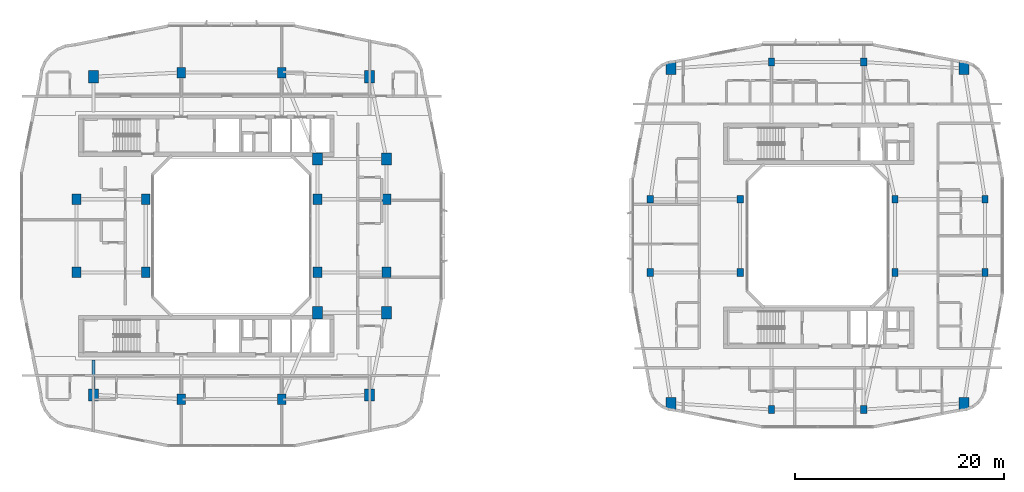
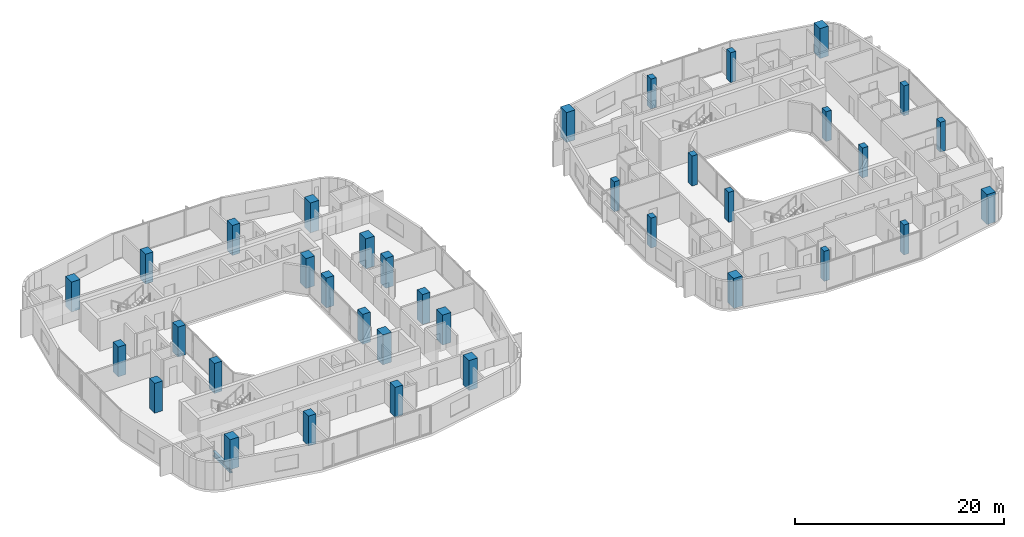
# One storey, part 1 of 26: 36 columns, 1 beam.
"""IFC4 building model written with IfcOpenShell, lengths in metres."""

from ifc_helpers import new_model, si_unit, derived_unit, direction, frame, origin, origin_2d, place, context, subcontext, project, spatial, rectangle, i_section, extrude, material, material_profile, profile_set, type_object, element, save


model = new_model("IFC4")

# Units and contexts
model_context = context("Model", 3, precision=1e-05, world=origin(), true_north=direction((0.0, 1.0)))
body_context = subcontext(model_context, "Body", "Model", "MODEL_VIEW")
ifc_project = project(units=[si_unit("LENGTHUNIT", "METRE"), si_unit("AREAUNIT", "SQUARE_METRE"), si_unit("VOLUMEUNIT", "CUBIC_METRE"), si_unit("PLANEANGLEUNIT", "RADIAN"), si_unit("MASSUNIT", "GRAM", prefix="KILO"), derived_unit("THERMALTRANSMITTANCEUNIT", [(si_unit("POWERUNIT", "WATT"), 1), (si_unit("LENGTHUNIT", "METRE"), -2), (si_unit("THERMODYNAMICTEMPERATUREUNIT", "KELVIN"), -1)])], contexts=[model_context])

# Site, building, storey
site_placement = place(None, origin())
site = spatial("IfcSite", under=ifc_project, at=site_placement, CompositionType="ELEMENT")
building_placement = place(site_placement, origin())
building = spatial("IfcBuilding", under=site, at=building_placement, Name="Kivonza Crest Hotel", CompositionType="ELEMENT")
storey_placement = place(building_placement, frame((0.0, 0.0, 98.5)))
storey = spatial("IfcBuildingStorey", under=building, at=storey_placement, Name="L26", CompositionType="ELEMENT", Elevation=98.5)

# Columns
ifc_material_1 = material(Name="Concrete C50/60", Category="concrete")
ifc_material_profile_1 = material_profile(ifc_material_1, rectangle(XDim=0.85009765625, YDim=1.0, at=origin_2d()), Name="RC 1000x850")
ifc_profile_set_1 = profile_set([ifc_material_profile_1], Name="Concrete C50/60")
column_type_1 = type_object("IfcColumnType", Name="CL-RC-1000x850", PredefinedType="COLUMN", material=ifc_profile_set_1)
for number, where, z_axis, x_axis, name in (
    (1, (16.199951171875, 9.39990234375, 0.0), (0.0, 0.0, 1.0), (1.0, 0.0, 0.0), "Tower T1 L26 column S1"),
    (2, (25.800048828125, 9.39990234375, 0.0), (0.0, 0.0, 1.0), (1.0, 0.0, 0.0), "Tower T1 L26 column S2"),
    (3, (16.199951171875, 40.60009765625, 0.0), (0.0, 0.0, 1.0), (1.0, 0.0, 0.0), "Tower T1 L26 column N1"),
    (4, (25.800048828125, 40.60009765625, 0.0), (0.0, 0.0, 1.0), (1.0, 0.0, 0.0), "Tower T1 L26 column N2"),
    (5, (6.199951171875, 21.5, 0.0), (0.0, 0.0, 1.0), (1.0, 0.0, 0.0), "Tower T1 L26 column W1"),
    (6, (6.199951171875, 28.5, 0.0), (0.0, 0.0, 1.0), (1.0, 0.0, 0.0), "Tower T1 L26 column W2"),
    (7, (35.800048828125, 21.5, 0.0), (0.0, 0.0, 1.0), (1.0, 0.0, 0.0), "Tower T1 L26 column E1"),
    (8, (35.800048828125, 28.5, 0.0), (0.0, 0.0, 1.0), (1.0, 0.0, 0.0), "Tower T1 L26 column E2"),
    (9, (12.800048828125, 21.5, 0.0), (0.0, 0.0, 1.0), (1.0, 0.0, 0.0), "Tower T1 L26 column WL1"),
    (10, (12.800048828125, 28.5, 0.0), (0.0, 0.0, 1.0), (1.0, 0.0, 0.0), "Tower T1 L26 column WL2"),
    (11, (29.199951171875, 21.5, 0.0), (0.0, 0.0, 1.0), (1.0, 0.0, 0.0), "Tower T1 L26 column WR1"),
    (12, (29.199951171875, 28.5, 0.0), (0.0, 0.0, 1.0), (1.0, 0.0, 0.0), "Tower T1 L26 column WR2"),
):
    element("IfcColumn", number, at=place(storey_placement, frame(where, z_axis=z_axis, x_axis=x_axis)), inside=storey, type_object=column_type_1, Name=name, PredefinedType="COLUMN", context=body_context, shape_type="SweptSolid", body=[
        extrude(rectangle(XDim=0.85009765625, YDim=1.0, at=origin_2d()), origin(), (0.0, 0.0, 1.0), 3.5),
    ])
ifc_material_2 = material(Name="Concrete C60/75", Category="concrete")
ifc_material_profile_2 = material_profile(ifc_material_2, rectangle(XDim=0.949951171875, YDim=1.14990234375, at=origin_2d()), Name="RC 1150x950")
ifc_profile_set_2 = profile_set([ifc_material_profile_2], Name="Concrete C60/75")
column_type_2 = type_object("IfcColumnType", Name="CL-RC-1150x950", PredefinedType="COLUMN", material=ifc_profile_set_2)
for number, where, z_axis, x_axis, name in (
    (13, (7.800048828125, 9.800048828125, 0.0), (0.0, 0.0, 1.0), (1.0, 0.0, 0.0), "Tower T1 L26 column SW"),
    (14, (34.199951171875, 9.800048828125, 0.0), (0.0, 0.0, 1.0), (1.0, 0.0, 0.0), "Tower T1 L26 column SE"),
    (15, (34.199951171875, 40.199951171875, 0.0), (0.0, 0.0, 1.0), (1.0, 0.0, 0.0), "Tower T1 L26 column NE"),
    (16, (7.800048828125, 40.199951171875, 0.0), (0.0, 0.0, 1.0), (1.0, 0.0, 0.0), "Tower T1 L26 column NW"),
    (17, (35.800048828125, 17.64990234375, 0.0), (0.0, 0.0, 1.0), (1.0, 0.0, 0.0), "Tower T1 L26 column PSE"),
    (18, (35.800048828125, 32.35009765625, 0.0), (0.0, 0.0, 1.0), (1.0, 0.0, 0.0), "Tower T1 L26 column PNE"),
    (19, (29.199951171875, 17.64990234375, 0.0), (0.0, 0.0, 1.0), (1.0, 0.0, 0.0), "Tower T1 L26 column TSE"),
    (20, (29.199951171875, 32.35009765625, 0.0), (0.0, 0.0, 1.0), (1.0, 0.0, 0.0), "Tower T1 L26 column TNE"),
    (21, (63.0, 9.0, 0.0), (0.0, 0.0, 1.0), (1.0, 0.0, 0.0), "Companion Tower T2 L26 column SW"),
    (22, (91.0, 9.0, 0.0), (0.0, 0.0, 1.0), (1.0, 0.0, 0.0), "Companion Tower T2 L26 column SE"),
    (23, (91.0, 41.0, 0.0), (0.0, 0.0, 1.0), (1.0, 0.0, 0.0), "Companion Tower T2 L26 column NE"),
    (24, (63.0, 41.0, 0.0), (0.0, 0.0, 1.0), (1.0, 0.0, 0.0), "Companion Tower T2 L26 column NW"),
):
    element("IfcColumn", number, at=place(storey_placement, frame(where, z_axis=z_axis, x_axis=x_axis)), inside=storey, type_object=column_type_2, Name=name, PredefinedType="COLUMN", context=body_context, shape_type="SweptSolid", body=[
        extrude(rectangle(XDim=0.949951171875, YDim=1.14990234375, at=origin_2d()), origin(), (0.0, 0.0, 1.0), 3.5),
    ])
ifc_material_profile_3 = material_profile(ifc_material_1, rectangle(XDim=0.60009765625, YDim=0.75, at=origin_2d()), Name="RC 750x600")
ifc_profile_set_3 = profile_set([ifc_material_profile_3], Name="Concrete C50/60")
column_type_3 = type_object("IfcColumnType", Name="CL-RC-750x600", PredefinedType="COLUMN", material=ifc_profile_set_3)
for number, where, z_axis, x_axis, name in (
    (25, (72.60009765625, 8.39990234375, 0.0), (0.0, 0.0, 1.0), (1.0, 0.0, 0.0), "Companion Tower T2 L26 column S1"),
    (26, (81.39990234375, 8.39990234375, 0.0), (0.0, 0.0, 1.0), (1.0, 0.0, 0.0), "Companion Tower T2 L26 column S2"),
    (27, (72.60009765625, 41.60009765625, 0.0), (0.0, 0.0, 1.0), (1.0, 0.0, 0.0), "Companion Tower T2 L26 column N1"),
    (28, (81.39990234375, 41.60009765625, 0.0), (0.0, 0.0, 1.0), (1.0, 0.0, 0.0), "Companion Tower T2 L26 column N2"),
    (29, (61.0, 21.5, 0.0), (0.0, 0.0, 1.0), (1.0, 0.0, 0.0), "Companion Tower T2 L26 column W1"),
    (30, (61.0, 28.5, 0.0), (0.0, 0.0, 1.0), (1.0, 0.0, 0.0), "Companion Tower T2 L26 column W2"),
    (31, (93.0, 21.5, 0.0), (0.0, 0.0, 1.0), (1.0, 0.0, 0.0), "Companion Tower T2 L26 column E1"),
    (32, (93.0, 28.5, 0.0), (0.0, 0.0, 1.0), (1.0, 0.0, 0.0), "Companion Tower T2 L26 column E2"),
    (33, (69.60009765625, 21.5, 0.0), (0.0, 0.0, 1.0), (1.0, 0.0, 0.0), "Companion Tower T2 L26 column WL1"),
    (34, (69.60009765625, 28.5, 0.0), (0.0, 0.0, 1.0), (1.0, 0.0, 0.0), "Companion Tower T2 L26 column WL2"),
    (35, (84.39990234375, 21.5, 0.0), (0.0, 0.0, 1.0), (1.0, 0.0, 0.0), "Companion Tower T2 L26 column WR1"),
    (36, (84.39990234375, 28.5, 0.0), (0.0, 0.0, 1.0), (1.0, 0.0, 0.0), "Companion Tower T2 L26 column WR2"),
):
    element("IfcColumn", number, at=place(storey_placement, frame(where, z_axis=z_axis, x_axis=x_axis)), inside=storey, type_object=column_type_3, Name=name, PredefinedType="COLUMN", context=body_context, shape_type="SweptSolid", body=[
        extrude(rectangle(XDim=0.60009765625, YDim=0.75, at=origin_2d()), origin(), (0.0, 0.0, 1.0), 3.5),
    ])

# Beam
ifc_material_3 = material(Name="Steel S355", Category="steel")
ifc_material_profile_4 = material_profile(ifc_material_3, i_section(OverallWidth=0.300048828125, OverallDepth=0.60009765625, WebThickness=0.015380859375, FlangeThickness=0.030029296875, FilletRadius=0.027099609375, at=origin_2d()), Name="HEB 600")
ifc_profile_set_4 = profile_set([ifc_material_profile_4], Name="Steel S355")
beam_type = type_object("IfcBeamType", Name="BM-HEB600", PredefinedType="BEAM", material=ifc_profile_set_4)
beam_placement = place(storey_placement, frame((7.800048828125, 9.800048828125, -0.580078125), z_axis=(0.0, 1.0, 0.0), x_axis=(-1.0, 0.0, 0.0)))
element("IfcBeam", 37, at=beam_placement, inside=storey, type_object=beam_type, Name="Tower T1 L26 radial core girder RSW", PredefinedType="BEAM", context=body_context, shape_type="SweptSolid", body=[
    extrude(i_section(OverallWidth=0.300048828125, OverallDepth=0.60009765625, WebThickness=0.015380859375, FlangeThickness=0.030029296875, FilletRadius=0.027099609375, at=origin_2d()), origin(), (0.0, 0.0, 1.0), 3.349853515625),
])

save(model, "model.ifc")
